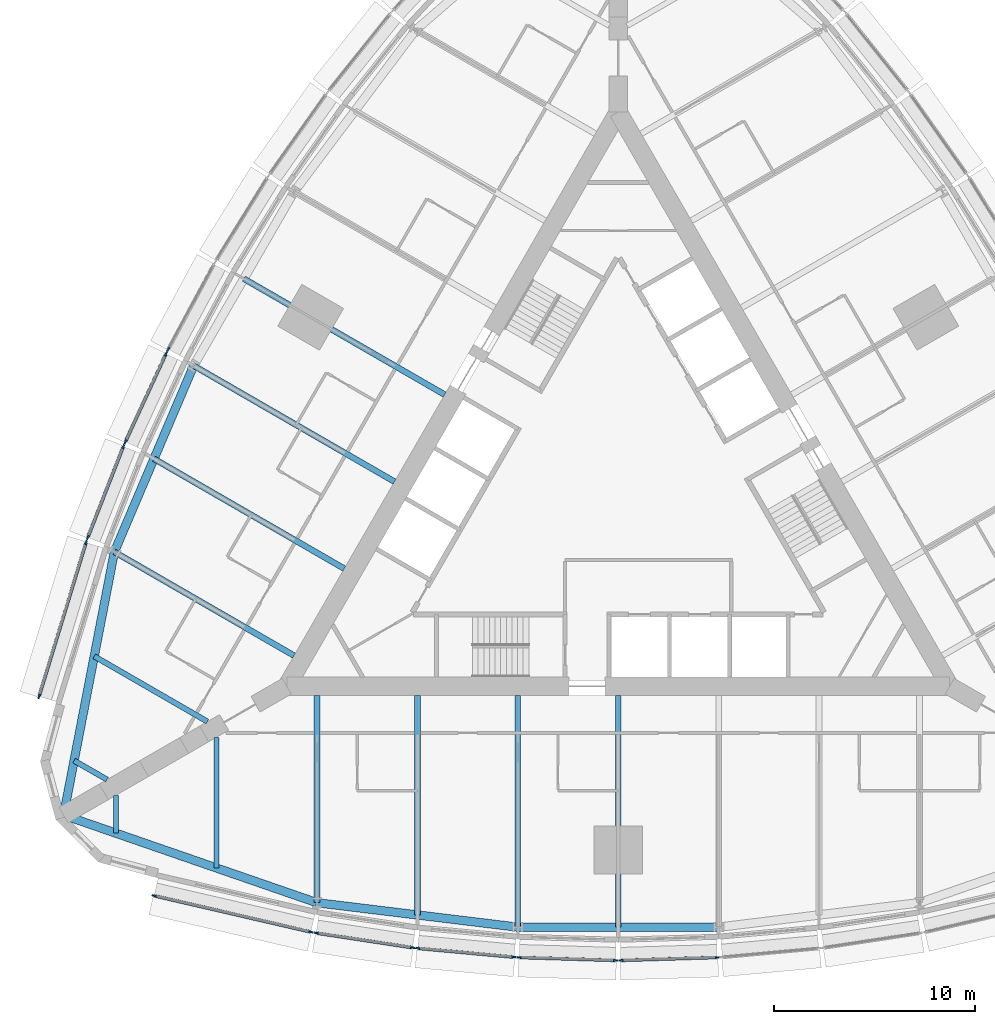
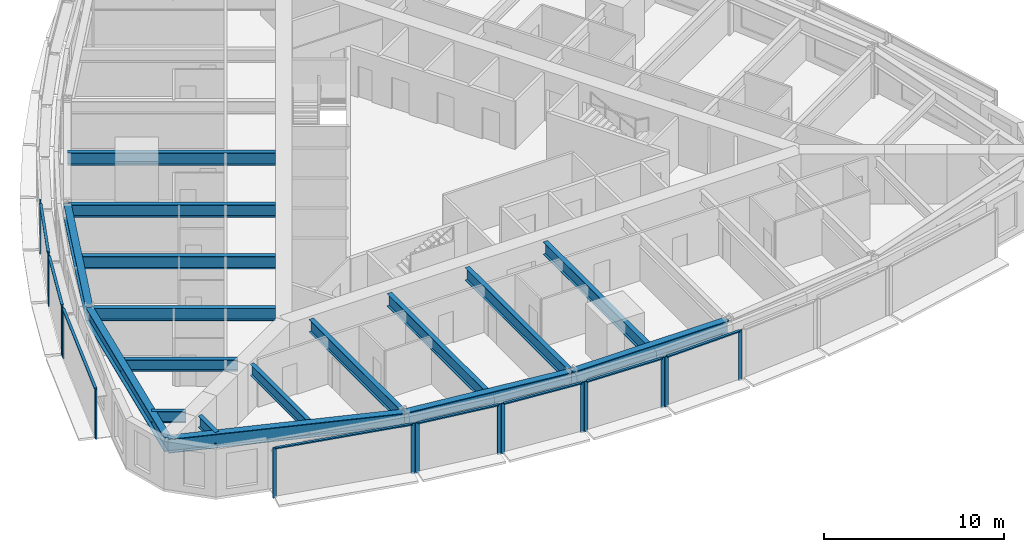
# One storey, part 2 of 14: 25 members, 17 beams, 9 elements without a shape of their own.
"""IFC4 building model written with IfcOpenShell, lengths in metres."""

from ifc_helpers import new_model, si_unit, direction, frame, origin, origin_2d, place, context, subcontext, project, spatial, rectangle, i_section, extrude, material, material_profile, profile_set, type_object, element, aggregate, save


model = new_model("IFC4")

# Units and contexts
model_context = context("Model", 3, precision=1e-05, world=origin(), true_north=direction((0.0, 1.0)))
body_context = subcontext(model_context, "Body", "Model", "MODEL_VIEW")
ifc_project = project(units=[si_unit("LENGTHUNIT", "METRE"), si_unit("AREAUNIT", "SQUARE_METRE"), si_unit("VOLUMEUNIT", "CUBIC_METRE"), si_unit("PLANEANGLEUNIT", "RADIAN"), si_unit("MASSUNIT", "GRAM", prefix="KILO")], contexts=[model_context])

# Site, building, storey
site_placement = place(None, origin())
site = spatial("IfcSite", under=ifc_project, at=site_placement, CompositionType="ELEMENT")
building_placement = place(site_placement, origin())
building = spatial("IfcBuilding", under=site, at=building_placement, Name="Trikona Tower", CompositionType="ELEMENT")
storey_placement = place(building_placement, frame((0.0, 0.0, 96.5)))
storey = spatial("IfcBuildingStorey", under=building, at=storey_placement, Name="L25", CompositionType="ELEMENT", Elevation=96.5)

# Curtain wall, members
ifc_material_1 = material(Name="Aluminium curtain wall system", Category="aluminium")
curtain_wall_type = type_object("IfcCurtainWallType", Name="Curtain wall DS1", PredefinedType="NOTDEFINED", material=ifc_material_1)
curtain_wall_1_placement = place(storey_placement, origin())
curtain_wall_1 = element("IfcCurtainWall", 1, at=curtain_wall_1_placement, inside=storey, type_object=curtain_wall_type, Name="Curtain wall DS1 L25", PredefinedType="NOTDEFINED")
ifc_material_2 = material(Name="Aluminium mullion, pale anodised", Category="aluminium")
ifc_material_profile_1 = material_profile(ifc_material_2, rectangle(XDim=0.080078125, YDim=0.219970703125, at=origin_2d()), Name="MUL-DS1")
ifc_profile_set_1 = profile_set([ifc_material_profile_1], Name="Aluminium mullion, pale anodised")
member_type_1 = type_object("IfcMemberType", Name="Mullion DS1 80x220", PredefinedType="MULLION", material=ifc_profile_set_1)
member_1_placement = place(storey_placement, frame((-23.10546875, -19.951904296875, 0.0), z_axis=(0.0, 0.0, 1.0), x_axis=(0.225343288756, 0.974279427173, 0.0)))
member_1 = element("IfcMember", 2, at=member_1_placement, type_object=member_type_1, Name="CW-DS1 mullion 1", PredefinedType="MULLION", context=body_context, shape_type="SweptSolid", body=[
    extrude(rectangle(XDim=0.080078125, YDim=0.219970703125, at=origin_2d()), origin(), (0.0, 0.0, 1.0), 3.39990234375),
])
member_2_placement = place(storey_placement, frame((-15.30029296875, -21.75732421875, 0.0), z_axis=(0.0, 0.0, 1.0), x_axis=(0.225343288756, 0.974279427173, 0.0)))
member_2 = element("IfcMember", 3, at=member_2_placement, type_object=member_type_1, Name="CW-DS1 mullion 2", PredefinedType="MULLION", context=body_context, shape_type="SweptSolid", body=[
    extrude(rectangle(XDim=0.080078125, YDim=0.219970703125, at=origin_2d()), origin(), (0.0, 0.0, 1.0), 3.39990234375),
])

curtain_wall_2_placement = place(storey_placement, origin())
curtain_wall_2 = element("IfcCurtainWall", 4, at=curtain_wall_2_placement, inside=storey, type_object=curtain_wall_type, Name="Curtain wall DS1 L25", PredefinedType="NOTDEFINED")
member_3_placement = place(storey_placement, frame((-15.03662109375, -21.807861328125, 0.0), z_axis=(0.0, 0.0, 1.0), x_axis=(0.150437693845, 0.988619492156, 0.0)))
member_3 = element("IfcMember", 5, at=member_3_placement, type_object=member_type_1, Name="CW-DS1 mullion 1", PredefinedType="MULLION", context=body_context, shape_type="SweptSolid", body=[
    extrude(rectangle(XDim=0.080078125, YDim=0.219970703125, at=origin_2d()), origin(), (0.0, 0.0, 1.0), 3.39990234375),
])
member_4_placement = place(storey_placement, frame((-10.234130859375, -22.53857421875, 0.0), z_axis=(0.0, 0.0, 1.0), x_axis=(0.150437693845, 0.988619492156, 0.0)))
member_4 = element("IfcMember", 6, at=member_4_placement, type_object=member_type_1, Name="CW-DS1 mullion 2", PredefinedType="MULLION", context=body_context, shape_type="SweptSolid", body=[
    extrude(rectangle(XDim=0.080078125, YDim=0.219970703125, at=origin_2d()), origin(), (0.0, 0.0, 1.0), 3.39990234375),
])

curtain_wall_3_placement = place(storey_placement, origin())
curtain_wall_3 = element("IfcCurtainWall", 7, at=curtain_wall_3_placement, inside=storey, type_object=curtain_wall_type, Name="Curtain wall DS1 L25", PredefinedType="NOTDEFINED")
member_5_placement = place(storey_placement, frame((-9.982177734375, -22.5693359375, 0.0), z_axis=(0.0, 0.0, 1.0), x_axis=(0.090923932737, 0.995857840485, 0.0)))
member_5 = element("IfcMember", 8, at=member_5_placement, type_object=member_type_1, Name="CW-DS1 mullion 1", PredefinedType="MULLION", context=body_context, shape_type="SweptSolid", body=[
    extrude(rectangle(XDim=0.080078125, YDim=0.219970703125, at=origin_2d()), origin(), (0.0, 0.0, 1.0), 3.39990234375),
])
member_6_placement = place(storey_placement, frame((-5.181396484375, -23.007568359375, 0.0), z_axis=(0.0, 0.0, 1.0), x_axis=(0.090923932737, 0.995857840485, 0.0)))
member_6 = element("IfcMember", 9, at=member_6_placement, type_object=member_type_1, Name="CW-DS1 mullion 2", PredefinedType="MULLION", context=body_context, shape_type="SweptSolid", body=[
    extrude(rectangle(XDim=0.080078125, YDim=0.219970703125, at=origin_2d()), origin(), (0.0, 0.0, 1.0), 3.39990234375),
])

curtain_wall_4_placement = place(storey_placement, origin())
curtain_wall_4 = element("IfcCurtainWall", 10, at=curtain_wall_4_placement, inside=storey, type_object=curtain_wall_type, Name="Curtain wall DS1 L25", PredefinedType="NOTDEFINED")
member_7_placement = place(storey_placement, frame((-4.927490234375, -23.02294921875, 0.0), z_axis=(0.0, 0.0, 1.0), x_axis=(0.030436711692, 0.999536695965, 0.0)))
member_7 = element("IfcMember", 11, at=member_7_placement, type_object=member_type_1, Name="CW-DS1 mullion 1", PredefinedType="MULLION", context=body_context, shape_type="SweptSolid", body=[
    extrude(rectangle(XDim=0.080078125, YDim=0.219970703125, at=origin_2d()), origin(), (0.0, 0.0, 1.0), 3.39990234375),
])
member_8_placement = place(storey_placement, frame((-0.12744140625, -23.169189453125, 0.0), z_axis=(0.0, 0.0, 1.0), x_axis=(0.030436711692, 0.999536695965, 0.0)))
member_8 = element("IfcMember", 12, at=member_8_placement, type_object=member_type_1, Name="CW-DS1 mullion 2", PredefinedType="MULLION", context=body_context, shape_type="SweptSolid", body=[
    extrude(rectangle(XDim=0.080078125, YDim=0.219970703125, at=origin_2d()), origin(), (0.0, 0.0, 1.0), 3.39990234375),
])

curtain_wall_5_placement = place(storey_placement, origin())
curtain_wall_5 = element("IfcCurtainWall", 13, at=curtain_wall_5_placement, inside=storey, type_object=curtain_wall_type, Name="Curtain wall DS1 L25", PredefinedType="NOTDEFINED")
member_9_placement = place(storey_placement, frame((0.12744140625, -23.169189453125, 0.0), z_axis=(0.0, 0.0, 1.0), x_axis=(-0.030436711692, 0.999536695965, 0.0)))
member_9 = element("IfcMember", 14, at=member_9_placement, type_object=member_type_1, Name="CW-DS1 mullion 1", PredefinedType="MULLION", context=body_context, shape_type="SweptSolid", body=[
    extrude(rectangle(XDim=0.080078125, YDim=0.219970703125, at=origin_2d()), origin(), (0.0, 0.0, 1.0), 3.39990234375),
])
member_10_placement = place(storey_placement, frame((4.927490234375, -23.02294921875, 0.0), z_axis=(0.0, 0.0, 1.0), x_axis=(-0.030436711692, 0.999536695965, 0.0)))
member_10 = element("IfcMember", 15, at=member_10_placement, type_object=member_type_1, Name="CW-DS1 mullion 2", PredefinedType="MULLION", context=body_context, shape_type="SweptSolid", body=[
    extrude(rectangle(XDim=0.080078125, YDim=0.219970703125, at=origin_2d()), origin(), (0.0, 0.0, 1.0), 3.39990234375),
])

# Curtain wall, member
curtain_wall_6_placement = place(storey_placement, origin())
curtain_wall_6 = element("IfcCurtainWall", 16, at=curtain_wall_6_placement, inside=storey, type_object=curtain_wall_type, Name="Curtain wall DS1 L25", PredefinedType="NOTDEFINED")
member_11_placement = place(storey_placement, frame((-22.402099609375, 7.244140625, 0.0), z_axis=(0.0, 0.0, 1.0), x_axis=(0.880843080975, -0.473408350896, 0.0)))
member_11 = element("IfcMember", 17, at=member_11_placement, type_object=member_type_1, Name="CW-DS1 mullion 2", PredefinedType="MULLION", context=body_context, shape_type="SweptSolid", body=[
    extrude(rectangle(XDim=0.080078125, YDim=0.219970703125, at=origin_2d()), origin(), (0.0, 0.0, 1.0), 3.39990234375),
])
aggregate(curtain_wall_6, [member_11])

# Curtain wall, members
curtain_wall_7_placement = place(storey_placement, origin())
curtain_wall_7 = element("IfcCurtainWall", 18, at=curtain_wall_7_placement, inside=storey, type_object=curtain_wall_type, Name="Curtain wall DS1 L25", PredefinedType="NOTDEFINED")
member_12_placement = place(storey_placement, frame((-22.515869140625, 7.0166015625, 0.0), z_axis=(0.0, 0.0, 1.0), x_axis=(0.907898459992, -0.419190155352, 0.0)))
member_12 = element("IfcMember", 19, at=member_12_placement, type_object=member_type_1, Name="CW-DS1 mullion 1", PredefinedType="MULLION", context=body_context, shape_type="SweptSolid", body=[
    extrude(rectangle(XDim=0.080078125, YDim=0.219970703125, at=origin_2d()), origin(), (0.0, 0.0, 1.0), 3.39990234375),
])
member_13_placement = place(storey_placement, frame((-24.53662109375, 2.6396484375, 0.0), z_axis=(0.0, 0.0, 1.0), x_axis=(0.907898459992, -0.419190155352, 0.0)))
member_13 = element("IfcMember", 20, at=member_13_placement, type_object=member_type_1, Name="CW-DS1 mullion 2", PredefinedType="MULLION", context=body_context, shape_type="SweptSolid", body=[
    extrude(rectangle(XDim=0.080078125, YDim=0.219970703125, at=origin_2d()), origin(), (0.0, 0.0, 1.0), 3.39990234375),
])

curtain_wall_8_placement = place(storey_placement, origin())
curtain_wall_8 = element("IfcCurtainWall", 21, at=curtain_wall_8_placement, inside=storey, type_object=curtain_wall_type, Name="Curtain wall DS1 L25", PredefinedType="NOTDEFINED")
member_14_placement = place(storey_placement, frame((-24.63623046875, 2.40625, 0.0), z_axis=(0.0, 0.0, 1.0), x_axis=(0.931395989443, -0.36400756977, 0.0)))
member_14 = element("IfcMember", 22, at=member_14_placement, type_object=member_type_1, Name="CW-DS1 mullion 1", PredefinedType="MULLION", context=body_context, shape_type="SweptSolid", body=[
    extrude(rectangle(XDim=0.080078125, YDim=0.219970703125, at=origin_2d()), origin(), (0.0, 0.0, 1.0), 3.39990234375),
])
member_15_placement = place(storey_placement, frame((-26.404296875, -2.1181640625, 0.0), z_axis=(0.0, 0.0, 1.0), x_axis=(0.931395989443, -0.36400756977, 0.0)))
member_15 = element("IfcMember", 23, at=member_15_placement, type_object=member_type_1, Name="CW-DS1 mullion 2", PredefinedType="MULLION", context=body_context, shape_type="SweptSolid", body=[
    extrude(rectangle(XDim=0.080078125, YDim=0.219970703125, at=origin_2d()), origin(), (0.0, 0.0, 1.0), 3.39990234375),
])

curtain_wall_9_placement = place(storey_placement, origin())
curtain_wall_9 = element("IfcCurtainWall", 24, at=curtain_wall_9_placement, inside=storey, type_object=curtain_wall_type, Name="Curtain wall DS1 L25", PredefinedType="NOTDEFINED")
member_16_placement = place(storey_placement, frame((-26.492431640625, -2.371826171875, 0.0), z_axis=(0.0, 0.0, 1.0), x_axis=(0.956423115383, -0.291984287868, 0.0)))
member_16 = element("IfcMember", 25, at=member_16_placement, type_object=member_type_1, Name="CW-DS1 mullion 1", PredefinedType="MULLION", context=body_context, shape_type="SweptSolid", body=[
    extrude(rectangle(XDim=0.080078125, YDim=0.219970703125, at=origin_2d()), origin(), (0.0, 0.0, 1.0), 3.39990234375),
])
member_17_placement = place(storey_placement, frame((-28.83154296875, -10.033935546875, 0.0), z_axis=(0.0, 0.0, 1.0), x_axis=(0.956423115383, -0.291984287868, 0.0)))
member_17 = element("IfcMember", 26, at=member_17_placement, type_object=member_type_1, Name="CW-DS1 mullion 2", PredefinedType="MULLION", context=body_context, shape_type="SweptSolid", body=[
    extrude(rectangle(XDim=0.080078125, YDim=0.219970703125, at=origin_2d()), origin(), (0.0, 0.0, 1.0), 3.39990234375),
])

# Beams
ifc_material_3 = material(Name="Steel ASTM A992 Grade 50", Category="steel")
ifc_material_profile_2 = material_profile(ifc_material_3, i_section(OverallWidth=0.2666015625, OverallDepth=0.76953125, WebThickness=0.015625, FlangeThickness=0.025390625, at=origin_2d()), Name="W30X132")
ifc_profile_set_2 = profile_set([ifc_material_profile_2], Name="Steel ASTM A992 Grade 50")
beam_type_1 = type_object("IfcBeamType", Name="Steel beam W30x132 (wedge)", PredefinedType="BEAM", material=ifc_profile_set_2)
beam_1_placement = place(storey_placement, frame((-25.0, -14.953369140625, 2.85009765625), z_axis=(0.0, -1.0, 0.0), x_axis=(1.0, 0.0, 0.0)))
element("IfcBeam", 27, at=beam_1_placement, inside=storey, type_object=beam_type_1, Name="Floor beam L26 F1 u-25", PredefinedType="BEAM", context=body_context, shape_type="SweptSolid", body=[
    extrude(i_section(OverallWidth=0.2666015625, OverallDepth=0.76953125, WebThickness=0.015625, FlangeThickness=0.025390625, at=origin_2d()), origin(), (0.0, 0.0, 1.0), 1.890380859375),
])
for number, where, z_axis, x_axis, name in (
    (28, (-20.0, -12.066650390625, 2.85009765625), (0.0, -1.0, 0.0), (1.0, 0.0, 0.0), "Floor beam L26 F1 u-20"),
    (29, (-20.449951171875, -11.287109375, 2.85009765625), (-0.866022504693, 0.50000502134, 0.0), (-0.50000502134, -0.866022504693, 0.0), "Floor beam L26 F3 u20"),
):
    element("IfcBeam", number, at=place(storey_placement, frame(where, z_axis=z_axis, x_axis=x_axis)), inside=storey, type_object=beam_type_1, Name=name, PredefinedType="BEAM", context=body_context, shape_type="SweptSolid", body=[
        extrude(i_section(OverallWidth=0.2666015625, OverallDepth=0.76953125, WebThickness=0.015625, FlangeThickness=0.025390625, at=origin_2d()), origin(), (0.0, 0.0, 1.0), 6.5068359375),
    ])
beam_2_placement = place(storey_placement, frame((-25.449951171875, -14.173828125, 2.85009765625), z_axis=(-0.866065156741, 0.499931139538, 0.0), x_axis=(-0.499931139538, -0.866065156741, 0.0)))
element("IfcBeam", 30, at=beam_2_placement, inside=storey, type_object=beam_type_1, Name="Floor beam L26 F3 u25", PredefinedType="BEAM", context=body_context, shape_type="SweptSolid", body=[
    extrude(i_section(OverallWidth=0.2666015625, OverallDepth=0.76953125, WebThickness=0.015625, FlangeThickness=0.025390625, at=origin_2d()), origin(), (0.0, 0.0, 1.0), 1.890380859375),
])
ifc_material_4 = material(Name="Steel ASTM A992 Grade 50", Category="steel")
ifc_material_profile_3 = material_profile(ifc_material_4, i_section(OverallWidth=0.2919921875, OverallDepth=0.845703125, WebThickness=0.015380859375, FlangeThickness=0.0244140625, at=origin_2d()), Name="W33X141")
ifc_profile_set_3 = profile_set([ifc_material_profile_3], Name="Steel ASTM A992 Grade 50")
beam_type_2 = type_object("IfcBeamType", Name="Steel beam W33x141 (radial typ)", PredefinedType="BEAM", material=ifc_profile_set_3)
beam_3_placement = place(storey_placement, frame((-15.0, -9.976318359375, 2.81201171875), z_axis=(0.0, -1.0, 0.0), x_axis=(1.0, 0.0, 0.0)))
element("IfcBeam", 31, at=beam_3_placement, inside=storey, type_object=beam_type_2, Name="Floor beam L26 F1 u-15", PredefinedType="BEAM", context=body_context, shape_type="SweptSolid", body=[
    extrude(i_section(OverallWidth=0.2919921875, OverallDepth=0.845703125, WebThickness=0.015380859375, FlangeThickness=0.0244140625, at=origin_2d()), origin(), (0.0, 0.0, 1.0), 10.32666015625),
])
beam_4_placement = place(storey_placement, frame((-10.0, -9.976318359375, 2.81201171875), z_axis=(0.0, -1.0, 0.0), x_axis=(1.0, 0.0, 0.0)))
element("IfcBeam", 32, at=beam_4_placement, inside=storey, type_object=beam_type_2, Name="Floor beam L26 F1 u-10", PredefinedType="BEAM", context=body_context, shape_type="SweptSolid", body=[
    extrude(i_section(OverallWidth=0.2919921875, OverallDepth=0.845703125, WebThickness=0.015380859375, FlangeThickness=0.0244140625, at=origin_2d()), origin(), (0.0, 0.0, 1.0), 10.935302734375),
])
for number, where, z_axis, x_axis, name in (
    (33, (-5.0, -9.976318359375, 2.81201171875), (0.0, -1.0, 0.0), (1.0, 0.0, 0.0), "Floor beam L26 F1 u-5"),
    (34, (0.0, -9.976318359375, 2.81201171875), (0.0, -1.0, 0.0), (1.0, 0.0, 0.0), "Floor beam L26 F1 u0"),
    (35, (-8.6396484375, 4.988037109375, 2.81201171875), (-0.866020765707, 0.500008033299, 0.0), (-0.500008033299, -0.866020765707, 0.0), "Floor beam L26 F3 u0"),
    (36, (-11.1396484375, 0.657958984375, 2.81201171875), (-0.866020765707, 0.500008033299, 0.0), (-0.500008033299, -0.866020765707, 0.0), "Floor beam L26 F3 u5"),
):
    element("IfcBeam", number, at=place(storey_placement, frame(where, z_axis=z_axis, x_axis=x_axis)), inside=storey, type_object=beam_type_2, Name=name, PredefinedType="BEAM", context=body_context, shape_type="SweptSolid", body=[
        extrude(i_section(OverallWidth=0.2919921875, OverallDepth=0.845703125, WebThickness=0.015380859375, FlangeThickness=0.0244140625, at=origin_2d()), origin(), (0.0, 0.0, 1.0), 11.544189453125),
    ])
beam_5_placement = place(storey_placement, frame((-13.6396484375, -3.672119140625, 2.81201171875), z_axis=(-0.866025348605, 0.500000095573, 0.0), x_axis=(-0.500000095573, -0.866025348605, 0.0)))
element("IfcBeam", 37, at=beam_5_placement, inside=storey, type_object=beam_type_2, Name="Floor beam L26 F3 u10", PredefinedType="BEAM", context=body_context, shape_type="SweptSolid", body=[
    extrude(i_section(OverallWidth=0.2919921875, OverallDepth=0.845703125, WebThickness=0.015380859375, FlangeThickness=0.0244140625, at=origin_2d()), origin(), (0.0, 0.0, 1.0), 10.935546875),
])
beam_6_placement = place(storey_placement, frame((-16.1396484375, -8.002197265625, 2.81201171875), z_axis=(-0.866030471684, 0.499991222037, 0.0), x_axis=(-0.499991222037, -0.866030471684, 0.0)))
element("IfcBeam", 38, at=beam_6_placement, inside=storey, type_object=beam_type_2, Name="Floor beam L26 F3 u15", PredefinedType="BEAM", context=body_context, shape_type="SweptSolid", body=[
    extrude(i_section(OverallWidth=0.2919921875, OverallDepth=0.845703125, WebThickness=0.015380859375, FlangeThickness=0.0244140625, at=origin_2d()), origin(), (0.0, 0.0, 1.0), 10.326904296875),
])
ifc_material_5 = material(Name="Steel ASTM A992 Grade 50", Category="steel")
ifc_material_profile_4 = material_profile(ifc_material_5, i_section(OverallWidth=0.424072265625, OverallDepth=0.947509765625, WebThickness=0.02392578125, FlangeThickness=0.042724609375, at=origin_2d()), Name="W36X302")
ifc_profile_set_4 = profile_set([ifc_material_profile_4], Name="Steel ASTM A992 Grade 50")
beam_type_3 = type_object("IfcBeamType", Name="Steel beam W36x302 (spandrel)", PredefinedType="SPANDREL", material=ifc_profile_set_4)
beam_7_placement = place(storey_placement, frame((-27.6103515625, -15.94091796875, 2.76123046875), z_axis=(0.945056965739, -0.326905692071, 0.0), x_axis=(0.326905692071, 0.945056965739, 0.0)))
element("IfcBeam", 39, at=beam_7_placement, inside=storey, type_object=beam_type_3, Name="Spandrel beam L26 F1-1", PredefinedType="SPANDREL", context=body_context, shape_type="SweptSolid", body=[
    extrude(i_section(OverallWidth=0.424072265625, OverallDepth=0.947509765625, WebThickness=0.02392578125, FlangeThickness=0.042724609375, at=origin_2d()), origin(), (0.0, 0.0, 1.0), 13.343505859375),
])
beam_8_placement = place(storey_placement, frame((-15.0, -20.302978515625, 2.76123046875), z_axis=(0.99266951126, -0.120860421207, 0.0), x_axis=(0.120860421207, 0.99266951126, 0.0)))
element("IfcBeam", 40, at=beam_8_placement, inside=storey, type_object=beam_type_3, Name="Spandrel beam L26 F1-2", PredefinedType="SPANDREL", context=body_context, shape_type="SweptSolid", body=[
    extrude(i_section(OverallWidth=0.424072265625, OverallDepth=0.947509765625, WebThickness=0.02392578125, FlangeThickness=0.042724609375, at=origin_2d()), origin(), (0.0, 0.0, 1.0), 10.07373046875),
])
beam_9_placement = place(storey_placement, frame((-5.0, -21.5205078125, 2.76123046875), z_axis=(1.0, 0.0, 0.0), x_axis=(0.0, 1.0, 0.0)))
element("IfcBeam", 41, at=beam_9_placement, inside=storey, type_object=beam_type_3, Name="Spandrel beam L26 F1-3", PredefinedType="SPANDREL", context=body_context, shape_type="SweptSolid", body=[
    extrude(i_section(OverallWidth=0.424072265625, OverallDepth=0.947509765625, WebThickness=0.02392578125, FlangeThickness=0.042724609375, at=origin_2d()), origin(), (0.0, 0.0, 1.0), 10.0),
])
beam_10_placement = place(storey_placement, frame((-21.13720703125, 6.43017578125, 2.76123046875), z_axis=(-0.391683514847, -0.920100007715, 0.0), x_axis=(0.920100007715, -0.391683514847, 0.0)))
element("IfcBeam", 42, at=beam_10_placement, inside=storey, type_object=beam_type_3, Name="Spandrel beam L26 F3-4", PredefinedType="SPANDREL", context=body_context, shape_type="SweptSolid", body=[
    extrude(i_section(OverallWidth=0.424072265625, OverallDepth=0.947509765625, WebThickness=0.02392578125, FlangeThickness=0.042724609375, at=origin_2d()), origin(), (0.0, 0.0, 1.0), 10.073974609375),
])
beam_11_placement = place(storey_placement, frame((-25.0830078125, -2.8388671875, 2.76123046875), z_axis=(-0.189405184036, -0.981899015307, 0.0), x_axis=(0.981899015307, -0.189405184036, 0.0)))
element("IfcBeam", 43, at=beam_11_placement, inside=storey, type_object=beam_type_3, Name="Spandrel beam L26 F3-5", PredefinedType="SPANDREL", context=body_context, shape_type="SweptSolid", body=[
    extrude(i_section(OverallWidth=0.424072265625, OverallDepth=0.947509765625, WebThickness=0.02392578125, FlangeThickness=0.042724609375, at=origin_2d()), origin(), (0.0, 0.0, 1.0), 13.343505859375),
])

# Member
ifc_material_6 = material(Name="Aluminium transom, pale anodised", Category="aluminium")
ifc_material_profile_5 = material_profile(ifc_material_6, rectangle(XDim=0.159912109375, YDim=0.080078125, at=origin_2d()), Name="TRN-DS1")
ifc_profile_set_5 = profile_set([ifc_material_profile_5], Name="Aluminium transom, pale anodised")
member_type_2 = type_object("IfcMemberType", Name="Transom DS1 80x160", PredefinedType="USERDEFINED", material=ifc_profile_set_5)
member_18_placement = place(storey_placement, frame((-23.06640625, -19.9609375, 3.360107421875), z_axis=(0.974275371842, -0.225360821398, 0.0), x_axis=(0.225360821398, 0.974275371842, 0.0)))
member_18 = element("IfcMember", 44, at=member_18_placement, type_object=member_type_2, Name="CW-DS1 transom 1.1", ObjectType="TRANSOM", PredefinedType="USERDEFINED", context=body_context, shape_type="SweptSolid", body=[
    extrude(rectangle(XDim=0.159912109375, YDim=0.080078125, at=origin_2d()), origin(), (0.0, 0.0, 1.0), 7.93115234375),
])

aggregate(curtain_wall_1, [member_1, member_2, member_18])

member_19_placement = place(storey_placement, frame((-14.9970703125, -21.813720703125, 3.360107421875), z_axis=(0.988619663412, -0.150436568413, 0.0), x_axis=(0.150436568413, 0.988619663412, 0.0)))
member_19 = element("IfcMember", 45, at=member_19_placement, type_object=member_type_2, Name="CW-DS1 transom 1.1", ObjectType="TRANSOM", PredefinedType="USERDEFINED", context=body_context, shape_type="SweptSolid", body=[
    extrude(rectangle(XDim=0.159912109375, YDim=0.080078125, at=origin_2d()), origin(), (0.0, 0.0, 1.0), 4.77783203125),
])

aggregate(curtain_wall_2, [member_3, member_4, member_19])

member_20_placement = place(storey_placement, frame((-9.9423828125, -22.57275390625, 3.360107421875), z_axis=(0.995855977008, -0.090944340438, 0.0), x_axis=(0.090944340438, 0.995855977008, 0.0)))
member_20 = element("IfcMember", 46, at=member_20_placement, type_object=member_type_2, Name="CW-DS1 transom 1.1", ObjectType="TRANSOM", PredefinedType="USERDEFINED", context=body_context, shape_type="SweptSolid", body=[
    extrude(rectangle(XDim=0.159912109375, YDim=0.080078125, at=origin_2d()), origin(), (0.0, 0.0, 1.0), 4.74072265625),
])

aggregate(curtain_wall_3, [member_5, member_6, member_20])

member_21_placement = place(storey_placement, frame((-4.887451171875, -23.024169921875, 3.360107421875), z_axis=(0.999536232946, -0.030451913371, 0.0), x_axis=(0.030451913371, 0.999536232946, 0.0)))
member_21 = element("IfcMember", 47, at=member_21_placement, type_object=member_type_2, Name="CW-DS1 transom 1.1", ObjectType="TRANSOM", PredefinedType="USERDEFINED", context=body_context, shape_type="SweptSolid", body=[
    extrude(rectangle(XDim=0.159912109375, YDim=0.080078125, at=origin_2d()), origin(), (0.0, 0.0, 1.0), 4.72216796875),
])

aggregate(curtain_wall_4, [member_7, member_8, member_21])

member_22_placement = place(storey_placement, frame((0.16748046875, -23.16796875, 3.360107421875), z_axis=(0.999536232946, 0.030451913371, 0.0), x_axis=(-0.030451913371, 0.999536232946, 0.0)))
member_22 = element("IfcMember", 48, at=member_22_placement, type_object=member_type_2, Name="CW-DS1 transom 1.1", ObjectType="TRANSOM", PredefinedType="USERDEFINED", context=body_context, shape_type="SweptSolid", body=[
    extrude(rectangle(XDim=0.159912109375, YDim=0.080078125, at=origin_2d()), origin(), (0.0, 0.0, 1.0), 4.72216796875),
])

aggregate(curtain_wall_5, [member_9, member_10, member_22])

member_23_placement = place(storey_placement, frame((-22.53271484375, 6.980224609375, 3.360107421875), z_axis=(-0.419188800665, -0.90789908547, 0.0), x_axis=(0.90789908547, -0.419188800665, 0.0)))
member_23 = element("IfcMember", 49, at=member_23_placement, type_object=member_type_2, Name="CW-DS1 transom 1.1", ObjectType="TRANSOM", PredefinedType="USERDEFINED", context=body_context, shape_type="SweptSolid", body=[
    extrude(rectangle(XDim=0.159912109375, YDim=0.080078125, at=origin_2d()), origin(), (0.0, 0.0, 1.0), 4.74072265625),
])

aggregate(curtain_wall_7, [member_12, member_13, member_23])

member_24_placement = place(storey_placement, frame((-24.650634765625, 2.368896484375, 3.360107421875), z_axis=(-0.364048647668, -0.931379934362, 0.0), x_axis=(0.931379934362, -0.364048647668, 0.0)))
member_24 = element("IfcMember", 50, at=member_24_placement, type_object=member_type_2, Name="CW-DS1 transom 1.1", ObjectType="TRANSOM", PredefinedType="USERDEFINED", context=body_context, shape_type="SweptSolid", body=[
    extrude(rectangle(XDim=0.159912109375, YDim=0.080078125, at=origin_2d()), origin(), (0.0, 0.0, 1.0), 4.777587890625),
])

aggregate(curtain_wall_8, [member_14, member_15, member_24])

member_25_placement = place(storey_placement, frame((-26.504150390625, -2.409912109375, 3.360107421875), z_axis=(-0.291967490203, -0.956428243343, 0.0), x_axis=(0.956428243343, -0.291967490203, 0.0)))
member_25 = element("IfcMember", 51, at=member_25_placement, type_object=member_type_2, Name="CW-DS1 transom 1.1", ObjectType="TRANSOM", PredefinedType="USERDEFINED", context=body_context, shape_type="SweptSolid", body=[
    extrude(rectangle(XDim=0.159912109375, YDim=0.080078125, at=origin_2d()), origin(), (0.0, 0.0, 1.0), 7.93115234375),
])

aggregate(curtain_wall_9, [member_16, member_17, member_25])

save(model, "model.ifc")
